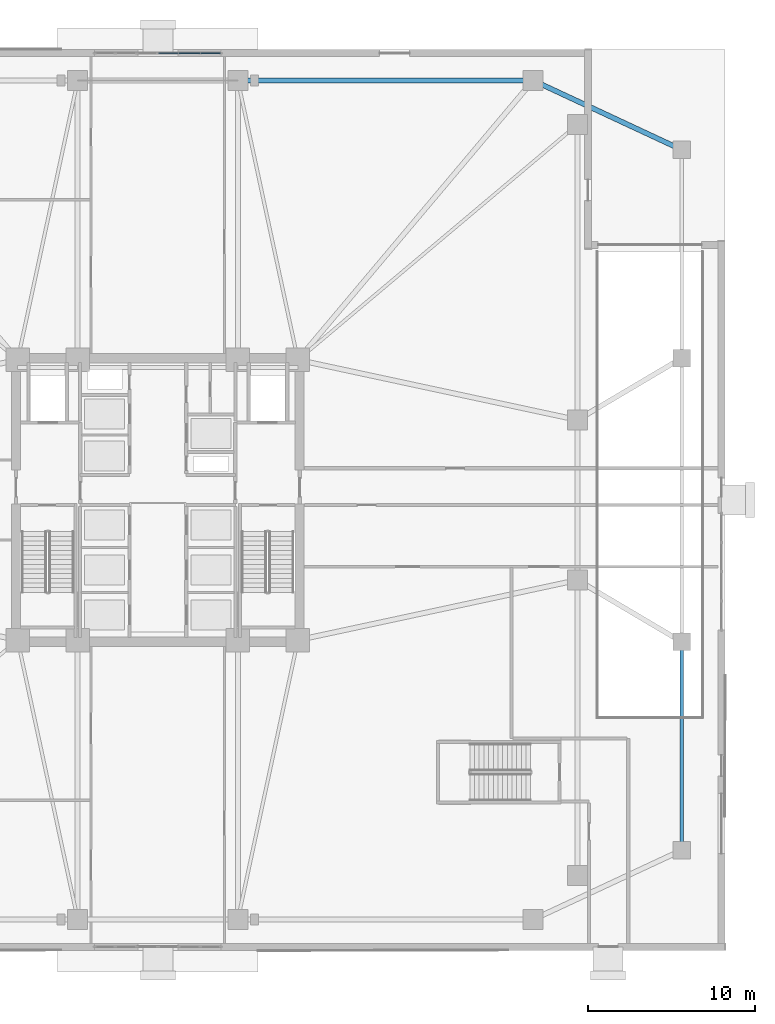
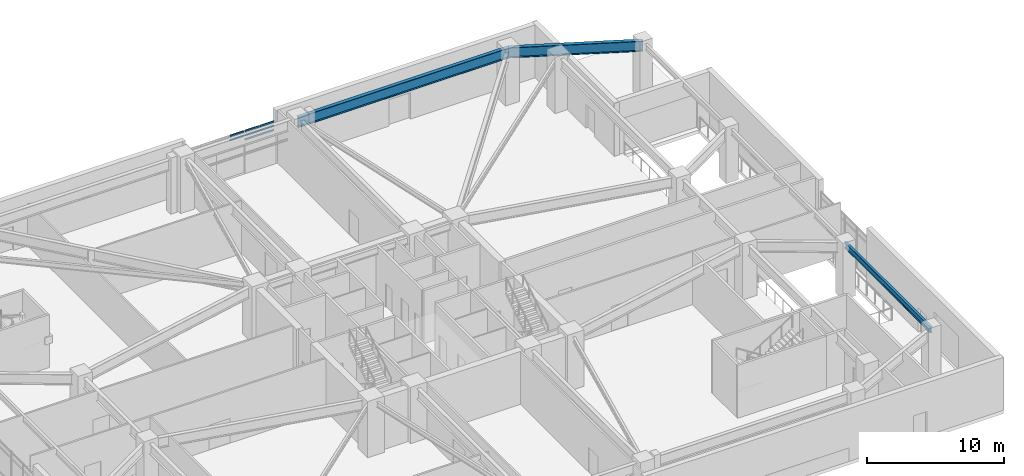
# One storey, part 4 of 21: 8 members, 3 beams, 1 element without a shape of its own.
"""IFC4 building model written with IfcOpenShell, lengths in metres."""

from ifc_helpers import new_model, si_unit, direction, frame, origin, origin_2d, place, context, subcontext, project, spatial, rectangle, i_section, extrude, material, layer, layer_set, material_profile, profile_set, type_object, element, aggregate, save


model = new_model("IFC4")

# Units and contexts
model_context = context("Model", 3, precision=1e-05, world=origin(), true_north=direction((0.0, 1.0)))
body_context = subcontext(model_context, "Body", "Model", "MODEL_VIEW")
ifc_project = project(units=[si_unit("LENGTHUNIT", "METRE"), si_unit("AREAUNIT", "SQUARE_METRE"), si_unit("VOLUMEUNIT", "CUBIC_METRE"), si_unit("PLANEANGLEUNIT", "RADIAN"), si_unit("MASSUNIT", "GRAM", prefix="KILO")], contexts=[model_context])

# Site, building, storey
site_placement = place(None, origin())
site = spatial("IfcSite", under=ifc_project, at=site_placement, CompositionType="ELEMENT")
building_placement = place(site_placement, origin())
building = spatial("IfcBuilding", under=site, at=building_placement, Name="Cairnveth Concourse Tower", CompositionType="ELEMENT")
storey_placement = place(building_placement, origin())
storey = spatial("IfcBuildingStorey", under=building, at=storey_placement, Name="L00", CompositionType="ELEMENT", Elevation=0.0)

# Curtain wall, members
ifc_material_1 = material(Name="Architectural Bronze Anodised Aluminium 6063-T6", Category="aluminium")
ifc_layer = layer(ifc_material_1, 0.360107421875)
ifc_layer_set = layer_set([ifc_layer], Name="Architectural Bronze Anodised Aluminium 6063-T6")
curtain_wall_type = type_object("IfcCurtainWallType", Name="CONCOURSE GALLERIA PORTAL CURTAIN WALL", PredefinedType="USERDEFINED", material=ifc_layer_set)
curtain_wall_placement = place(storey_placement, origin())
curtain_wall = element("IfcCurtainWall", 1, at=curtain_wall_placement, inside=storey, type_object=curtain_wall_type, Name="Curtain Wall CW-L00-N-PORTAL2", ObjectType="UNITISED FACADE", PredefinedType="USERDEFINED")
ifc_material_profile_1 = material_profile(ifc_material_1, rectangle(XDim=0.06494140625, YDim=0.139892578125, at=origin_2d()), Name="AL-TRN-65x140")
ifc_profile_set_1 = profile_set([ifc_material_profile_1], Name="Architectural Bronze Anodised Aluminium 6063-T6")
member_type = type_object("IfcMemberType", Name="BRONZE CURTAIN WALL TRANSOM AL-TRN-65x140", PredefinedType="USERDEFINED", material=ifc_profile_set_1)
member_1_placement = place(storey_placement, frame((52.050048828125, 65.7900390625, 3.262939453125), z_axis=(1.0, 0.0, 0.0), x_axis=(0.0, 1.0, 0.0)))
member_1 = element("IfcMember", 2, at=member_1_placement, type_object=member_type, Name="CWS1 transom 1.2", ObjectType="TRANSOM", PredefinedType="USERDEFINED", context=body_context, shape_type="SweptSolid", body=[
    extrude(rectangle(XDim=0.06494140625, YDim=0.139892578125, at=origin_2d()), origin(), (0.0, 0.0, 1.0), 1.17919921875),
])
member_2_placement = place(storey_placement, frame((52.050048828125, 65.7900390625, 3.6435546875), z_axis=(1.0, 0.0, 0.0), x_axis=(0.0, 1.0, 0.0)))
member_2 = element("IfcMember", 3, at=member_2_placement, type_object=member_type, Name="CWS1 transom 1.3", ObjectType="TRANSOM", PredefinedType="USERDEFINED", context=body_context, shape_type="SweptSolid", body=[
    extrude(rectangle(XDim=0.06494140625, YDim=0.139892578125, at=origin_2d()), origin(), (0.0, 0.0, 1.0), 1.17919921875),
])
member_3_placement = place(storey_placement, frame((53.294189453125, 65.7900390625, 2.882568359375), z_axis=(1.0, 0.0, 0.0), x_axis=(0.0, 1.0, 0.0)))
member_3 = element("IfcMember", 4, at=member_3_placement, type_object=member_type, Name="CWS1 transom 2.1", ObjectType="TRANSOM", PredefinedType="USERDEFINED", context=body_context, shape_type="SweptSolid", body=[
    extrude(rectangle(XDim=0.06494140625, YDim=0.139892578125, at=origin_2d()), origin(), (0.0, 0.0, 1.0), 1.211669921875),
])
member_4_placement = place(storey_placement, frame((53.294189453125, 65.7900390625, 3.262939453125), z_axis=(1.0, 0.0, 0.0), x_axis=(0.0, 1.0, 0.0)))
member_4 = element("IfcMember", 5, at=member_4_placement, type_object=member_type, Name="CWS1 transom 2.2", ObjectType="TRANSOM", PredefinedType="USERDEFINED", context=body_context, shape_type="SweptSolid", body=[
    extrude(rectangle(XDim=0.06494140625, YDim=0.139892578125, at=origin_2d()), origin(), (0.0, 0.0, 1.0), 1.211669921875),
])
member_5_placement = place(storey_placement, frame((53.294189453125, 65.7900390625, 3.6435546875), z_axis=(1.0, 0.0, 0.0), x_axis=(0.0, 1.0, 0.0)))
member_5 = element("IfcMember", 6, at=member_5_placement, type_object=member_type, Name="CWS1 transom 2.3", ObjectType="TRANSOM", PredefinedType="USERDEFINED", context=body_context, shape_type="SweptSolid", body=[
    extrude(rectangle(XDim=0.06494140625, YDim=0.139892578125, at=origin_2d()), origin(), (0.0, 0.0, 1.0), 1.211669921875),
])
member_6_placement = place(storey_placement, frame((54.57080078125, 65.7900390625, 2.882568359375), z_axis=(1.0, 0.0, 0.0), x_axis=(0.0, 1.0, 0.0)))
member_6 = element("IfcMember", 7, at=member_6_placement, type_object=member_type, Name="CWS1 transom 3.1", ObjectType="TRANSOM", PredefinedType="USERDEFINED", context=body_context, shape_type="SweptSolid", body=[
    extrude(rectangle(XDim=0.06494140625, YDim=0.139892578125, at=origin_2d()), origin(), (0.0, 0.0, 1.0), 1.17919921875),
])
member_7_placement = place(storey_placement, frame((54.57080078125, 65.7900390625, 3.262939453125), z_axis=(1.0, 0.0, 0.0), x_axis=(0.0, 1.0, 0.0)))
member_7 = element("IfcMember", 8, at=member_7_placement, type_object=member_type, Name="CWS1 transom 3.2", ObjectType="TRANSOM", PredefinedType="USERDEFINED", context=body_context, shape_type="SweptSolid", body=[
    extrude(rectangle(XDim=0.06494140625, YDim=0.139892578125, at=origin_2d()), origin(), (0.0, 0.0, 1.0), 1.17919921875),
])
member_8_placement = place(storey_placement, frame((54.57080078125, 65.7900390625, 3.6435546875), z_axis=(1.0, 0.0, 0.0), x_axis=(0.0, 1.0, 0.0)))
member_8 = element("IfcMember", 9, at=member_8_placement, type_object=member_type, Name="CWS1 transom 3.3", ObjectType="TRANSOM", PredefinedType="USERDEFINED", context=body_context, shape_type="SweptSolid", body=[
    extrude(rectangle(XDim=0.06494140625, YDim=0.139892578125, at=origin_2d()), origin(), (0.0, 0.0, 1.0), 1.17919921875),
])
aggregate(curtain_wall, [member_1, member_2, member_3, member_4, member_5, member_6, member_7, member_8])

# Beams
ifc_material_2 = material(Name="Steel Grade 350", Category="steel")
ifc_material_profile_2 = material_profile(ifc_material_2, i_section(OverallWidth=0.208984375, OverallDepth=0.532958984375, WebThickness=0.01025390625, FlangeThickness=0.015625, FilletRadius=0.013916015625, at=origin_2d()), Name="530UB92.4")
ifc_profile_set_2 = profile_set([ifc_material_profile_2], Name="Steel Grade 350")
beam_type_1 = type_object("IfcBeamType", Name="PODIUM EDGE SPANDREL 530UB92.4", PredefinedType="SPANDREL", material=ifc_profile_set_2)
beam_1_placement = place(storey_placement, frame((83.39990234375, 18.0, 4.43359375), z_axis=(0.0, 1.0, 0.0), x_axis=(-1.0, 0.0, 0.0)))
element("IfcBeam", 10, at=beam_1_placement, inside=storey, type_object=beam_type_1, Name="Beam PSP-E1 L00", PredefinedType="SPANDREL", context=body_context, shape_type="SweptSolid", body=[
    extrude(i_section(OverallWidth=0.208984375, OverallDepth=0.532958984375, WebThickness=0.01025390625, FlangeThickness=0.015625, FilletRadius=0.013916015625, at=origin_2d()), origin(), (0.0, 0.0, 1.0), 12.5),
])
ifc_material_profile_3 = material_profile(ifc_material_2, i_section(OverallWidth=0.300048828125, OverallDepth=0.924072265625, WebThickness=0.013916015625, FlangeThickness=0.031982421875, at=origin_2d()), Name="900WB257")
ifc_profile_set_3 = profile_set([ifc_material_profile_3], Name="Steel Grade 350")
beam_type_2 = type_object("IfcBeamType", Name="PODIUM PRIMARY GIRDER 900WB257", PredefinedType="BEAM", material=ifc_profile_set_3)
beam_2_placement = place(storey_placement, frame((74.5, 64.14990234375, 4.238037109375), z_axis=(0.906315208572, -0.422602345842, 0.0), x_axis=(0.422602345842, 0.906315208572, 0.0)))
element("IfcBeam", 11, at=beam_2_placement, inside=storey, type_object=beam_type_2, Name="Beam PG-E-N L00", PredefinedType="BEAM", context=body_context, shape_type="SweptSolid", body=[
    extrude(i_section(OverallWidth=0.300048828125, OverallDepth=0.924072265625, WebThickness=0.013916015625, FlangeThickness=0.031982421875, at=origin_2d()), origin(), (0.0, 0.0, 1.0), 9.81982421875),
])
beam_3_placement = place(storey_placement, frame((56.800048828125, 64.14990234375, 4.238037109375), z_axis=(1.0, 0.0, 0.0), x_axis=(0.0, 1.0, 0.0)))
element("IfcBeam", 12, at=beam_3_placement, inside=storey, type_object=beam_type_2, Name="Beam PR-N3 L00", PredefinedType="BEAM", context=body_context, shape_type="SweptSolid", body=[
    extrude(i_section(OverallWidth=0.300048828125, OverallDepth=0.924072265625, WebThickness=0.013916015625, FlangeThickness=0.031982421875, at=origin_2d()), origin(), (0.0, 0.0, 1.0), 17.699951171875),
])

save(model, "model.ifc")
